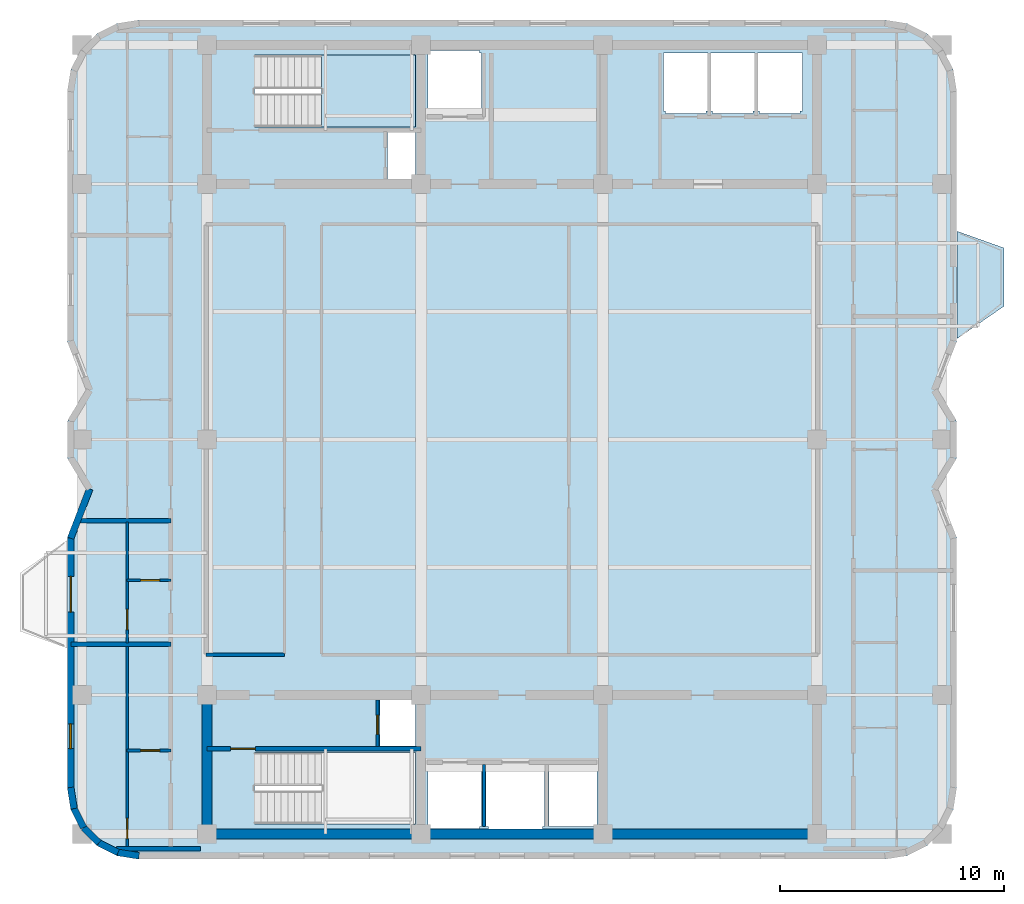
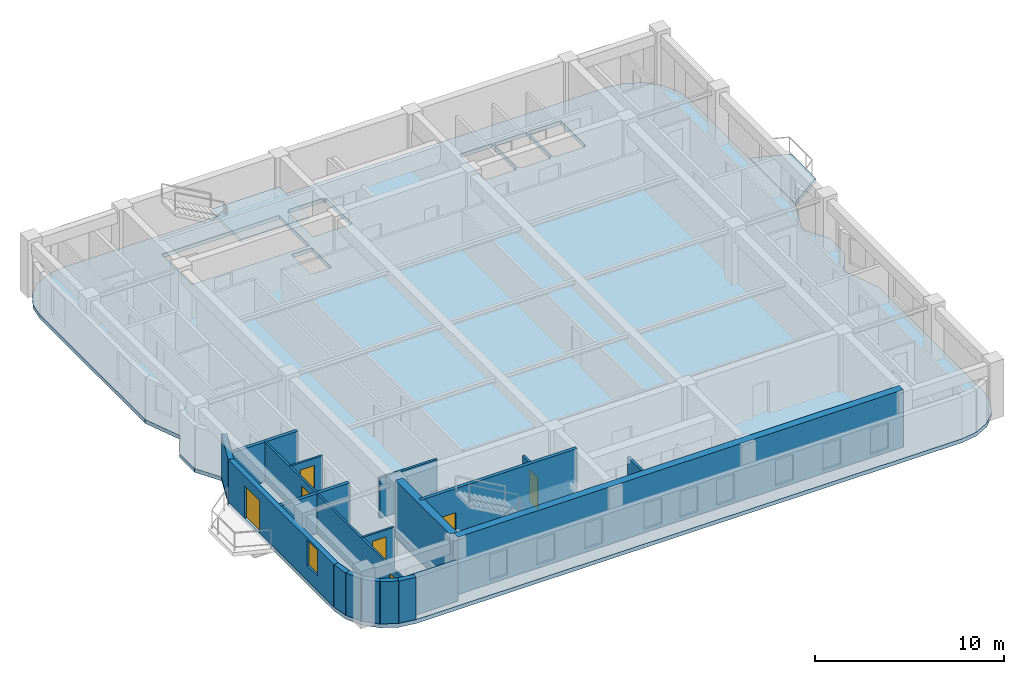
# One storey, part 2 of 8: 20 walls, 7 doors, 3 slabs, 1 window, 8 openings, 1 element without a shape of its own.
"""IFC4 building model written with IfcOpenShell, lengths in metres."""

from ifc_helpers import new_model, si_unit, direction, frame, frame_2d, origin, place, context, subcontext, project, spatial, polyline, rectangle, outline, extrude, material, layer, layer_set, type_object, element, fill, aggregate, save


model = new_model("IFC4")

# Units and contexts
model_context = context("Model", 3, precision=1e-05, world=origin(), true_north=direction((0.0, 1.0)))
body_context = subcontext(model_context, "Body", "Model", "MODEL_VIEW")
ifc_project = project(units=[si_unit("LENGTHUNIT", "METRE"), si_unit("AREAUNIT", "SQUARE_METRE"), si_unit("VOLUMEUNIT", "CUBIC_METRE"), si_unit("PLANEANGLEUNIT", "RADIAN"), si_unit("MASSUNIT", "GRAM", prefix="KILO")], contexts=[model_context])

# Site, building, storey
site_placement = place(None, origin())
site = spatial("IfcSite", under=ifc_project, at=site_placement, CompositionType="ELEMENT")
building_placement = place(site_placement, origin())
building = spatial("IfcBuilding", under=site, at=building_placement, Name="Svetorya Sky Lyceum", CompositionType="ELEMENT")
storey_placement = place(building_placement, frame((0.0, 0.0, 233.199951171875)))
storey = spatial("IfcBuildingStorey", under=building, at=storey_placement, Name="L58", CompositionType="ELEMENT", Elevation=233.199951171875)

# Slab
ifc_material_1 = material(Name="Concrete C40/50", Category="concrete")
ifc_layer_1 = layer(ifc_material_1, 0.25)
ifc_layer_set_1 = layer_set([ifc_layer_1], Name="Concrete C40/50")
slab_type_1 = type_object("IfcSlabType", Name="SL-BAL-250", PredefinedType="FLOOR", material=ifc_layer_set_1)
slab_1_placement = place(storey_placement, frame((0.0, 0.0, -0.25)))
element("IfcSlab", 1, at=slab_1_placement, inside=storey, type_object=slab_type_1, Name="L58 Chamfered Loggia Balcony BAL-E1", PredefinedType="FLOOR", context=body_context, shape_type="SweptSolid", body=[
    extrude(outline(polyline([(59.050048828125, 32.699951171875), (61.14990234375, 34.14990234375), (61.14990234375, 36.75), (59.050048828125, 37.5), (59.050048828125, 32.699951171875)])), origin(), (0.0, 0.0, 1.0), 0.25),
])

# Stair, slab
stair_type = type_object("IfcStairType", Name="STR-ST-N", PredefinedType="HALF_TURN_STAIR", material=ifc_material_1)
stair_placement = place(storey_placement, origin())
stair = element("IfcStair", 2, at=stair_placement, inside=storey, type_object=stair_type, Name="L58 North Core Smoke-Free Exit Stair N3", PredefinedType="HALF_TURN_STAIR")
ifc_layer_2 = layer(ifc_material_1, 0.199951171875)
ifc_layer_set_2 = layer_set([ifc_layer_2], Name="Concrete C40/50")
slab_type_2 = type_object("IfcSlabType", Name="SL-STR-LAND-200", PredefinedType="LANDING", material=ifc_layer_set_2)
slab_2_placement = place(storey_placement, frame((0.0, 0.0, 1.650146484375)))
slab_2 = element("IfcSlab", 3, at=slab_2_placement, type_object=slab_type_2, Name="ST-N landing 1", PredefinedType="LANDING", context=body_context, shape_type="SweptSolid", body=[
    extrude(outline(polyline([(30.699951171875, 42.14990234375), (34.89990234375, 42.14990234375), (34.89990234375, 45.35009765625), (30.699951171875, 45.35009765625), (30.699951171875, 42.14990234375)])), origin(), (0.0, 0.0, 1.0), 0.199951171875),
])
aggregate(stair, [slab_2])

# Slab
ifc_layer_3 = layer(ifc_material_1, 0.25)
ifc_layer_set_3 = layer_set([ifc_layer_3], Name="Concrete C40/50")
slab_type_3 = type_object("IfcSlabType", Name="SL-TWR-250", PredefinedType="FLOOR", material=ifc_layer_set_3)
slab_3_placement = place(storey_placement, frame((0.0, 0.0, -0.25)))
element("IfcSlab", 4, at=slab_3_placement, inside=storey, type_object=slab_type_3, Name="L58 Structural Floor Slab", PredefinedType="FLOOR", context=body_context, shape_type="SweptSolid", body=[
    extrude(outline(polyline([(19.360107421875, 12.679931640625), (19.5166015625, 11.691162109375), (19.97119140625, 10.799072265625), (20.67919921875, 10.091064453125), (21.571044921875, 9.63671875), (22.56005859375, 9.47998046875), (55.840087890625, 9.47998046875), (56.828857421875, 9.63671875), (57.720947265625, 10.091064453125), (58.428955078125, 10.799072265625), (58.88330078125, 11.691162109375), (59.0400390625, 12.679931640625), (59.0400390625, 23.800048828125), (58.18994140625, 26.0), (59.0400390625, 27.39990234375), (59.0400390625, 29.0), (58.18994140625, 30.39990234375), (59.0400390625, 32.60009765625), (59.0400390625, 43.719970703125), (58.88330078125, 44.708984375), (58.428955078125, 45.600830078125), (57.720947265625, 46.308837890625), (56.828857421875, 46.763427734375), (55.840087890625, 46.919921875), (22.56005859375, 46.919921875), (21.571044921875, 46.763427734375), (20.67919921875, 46.308837890625), (19.97119140625, 45.600830078125), (19.5166015625, 44.708984375), (19.360107421875, 43.719970703125), (19.360107421875, 32.60009765625), (20.2099609375, 30.39990234375), (19.360107421875, 29.0), (19.360107421875, 27.39990234375), (20.2099609375, 26.0), (19.360107421875, 23.800048828125), (19.360107421875, 12.679931640625)]), holes=[polyline([(37.85009765625, 10.949951171875), (37.75, 10.949951171875), (37.75, 10.85009765625), (35.550048828125, 10.85009765625), (35.550048828125, 10.949951171875), (35.449951171875, 10.949951171875), (35.449951171875, 13.64990234375), (35.550048828125, 13.64990234375), (37.75, 13.64990234375), (37.85009765625, 13.64990234375), (37.85009765625, 10.949951171875)]), polyline([(38.14990234375, 10.800048828125), (38.14990234375, 10.949951171875), (38.050048828125, 10.949951171875), (38.050048828125, 13.64990234375), (38.14990234375, 13.64990234375), (38.14990234375, 13.699951171875), (40.550048828125, 13.699951171875), (40.550048828125, 13.64990234375), (40.64990234375, 13.64990234375), (40.64990234375, 10.949951171875), (40.550048828125, 10.949951171875), (40.550048828125, 10.800048828125), (38.14990234375, 10.800048828125)]), polyline([(27.719970703125, 11.050048828125), (27.719970703125, 14.25), (34.89990234375, 14.25), (34.89990234375, 11.050048828125), (27.719970703125, 11.050048828125)]), polyline([(33.300048828125, 14.52001953125), (33.300048828125, 16.580078125), (34.89990234375, 16.580078125), (34.89990234375, 14.52001953125), (33.300048828125, 14.52001953125)]), polyline([(33.64990234375, 39.820068359375), (33.64990234375, 41.89990234375), (34.89990234375, 41.89990234375), (34.89990234375, 39.820068359375), (33.64990234375, 39.820068359375)]), polyline([(27.719970703125, 42.14990234375), (27.719970703125, 45.35009765625), (34.89990234375, 45.35009765625), (34.89990234375, 42.14990234375), (27.719970703125, 42.14990234375)]), polyline([(37.75, 42.75), (35.550048828125, 42.75), (35.449951171875, 42.75), (35.449951171875, 45.449951171875), (35.550048828125, 45.449951171875), (35.550048828125, 45.550048828125), (37.75, 45.550048828125), (37.75, 45.449951171875), (37.85009765625, 45.449951171875), (37.85009765625, 42.75), (37.75, 42.75)]), polyline([(40.85009765625, 10.949951171875), (40.85009765625, 13.64990234375), (43.0, 13.64990234375), (43.0, 10.949951171875), (40.85009765625, 10.949951171875)]), polyline([(46.050048828125, 42.75), (46.050048828125, 42.85009765625), (45.949951171875, 42.85009765625), (45.949951171875, 45.449951171875), (46.050048828125, 45.449951171875), (47.85009765625, 45.449951171875), (47.949951171875, 45.449951171875), (47.949951171875, 42.85009765625), (47.85009765625, 42.85009765625), (47.85009765625, 42.75), (46.050048828125, 42.75)]), polyline([(50.050048828125, 42.85009765625), (49.949951171875, 42.85009765625), (49.949951171875, 42.75), (48.14990234375, 42.75), (48.14990234375, 42.85009765625), (48.050048828125, 42.85009765625), (48.050048828125, 45.449951171875), (48.14990234375, 45.449951171875), (49.949951171875, 45.449951171875), (50.050048828125, 45.449951171875), (50.050048828125, 42.85009765625)]), polyline([(52.14990234375, 42.85009765625), (52.050048828125, 42.85009765625), (52.050048828125, 42.75), (50.25, 42.75), (50.25, 42.85009765625), (50.14990234375, 42.85009765625), (50.14990234375, 45.449951171875), (50.25, 45.449951171875), (52.050048828125, 45.449951171875), (52.14990234375, 45.449951171875), (52.14990234375, 42.85009765625)])]), origin(), (0.0, 0.0, 1.0), 0.25),
])

# Walls
ifc_material_2 = material(Name="Concrete C50/60", Category="concrete")
ifc_layer_4 = layer(ifc_material_2, 0.449951171875)
ifc_layer_set_4 = layer_set([ifc_layer_4], Name="Concrete C50/60")
wall_type_1 = type_object("IfcWallType", Name="WL-CORE-450", PredefinedType="SHEAR", material=ifc_layer_set_4)
wall_1_placement = place(storey_placement, frame((52.800048828125, 10.60009765625, 0.0), z_axis=(0.0, 0.0, 1.0), x_axis=(-1.0, 0.0, 0.0)))
element("IfcWall", 5, at=wall_1_placement, inside=storey, type_object=wall_type_1, Name="L58 SC Outer Core Shear Wall", PredefinedType="SHEAR", context=body_context, shape_type="SweptSolid", body=[
    extrude(rectangle(XDim=27.199951171875, YDim=0.449951171875, at=frame_2d((13.60009765625, 0.0))), origin(), (0.0, 0.0, 1.0), 3.699951171875),
])
wall_2_placement = place(storey_placement, frame((25.60009765625, 10.824951171875, 0.0), z_axis=(0.0, 0.0, 1.0), x_axis=(0.0, 1.0, 0.0)))
element("IfcWall", 6, at=wall_2_placement, inside=storey, type_object=wall_type_1, Name="L58 SC West Core Shear Wall", PredefinedType="SHEAR", context=body_context, shape_type="SweptSolid", body=[
    extrude(rectangle(XDim=5.75, YDim=0.449951171875, at=frame_2d((2.875, 0.0))), origin(), (0.0, 0.0, 1.0), 3.699951171875),
])
ifc_material_3 = material(Name="Putilovo limestone rainscreen on autoclaved cellular masonry", Category="masonry")
ifc_layer_5 = layer(ifc_material_3, 0.300048828125)
ifc_layer_set_5 = layer_set([ifc_layer_5], Name="Putilovo limestone rainscreen on autoclaved cellular masonry")
wall_type_2 = type_object("IfcWallType", Name="WL-EXT-300", PredefinedType="SOLIDWALL", material=ifc_layer_set_5)
wall_3_placement = place(storey_placement, frame((19.510009765625, 12.679931640625, 0.0), z_axis=(0.0, 0.0, 1.0), x_axis=(0.156343617883, -0.987702725088, 0.0)))
element("IfcWall", 7, at=wall_3_placement, inside=storey, type_object=wall_type_2, Name="L58 Limestone Exterior Wall 1M", PredefinedType="SOLIDWALL", context=body_context, shape_type="SweptSolid", body=[
    extrude(rectangle(XDim=0.9541015625, YDim=0.300048828125, at=frame_2d((0.47705078125, 0.0))), origin(), (0.0, 0.0, 1.0), 2.72998046875),
])
for number, where, z_axis, x_axis, name in (
    (8, (19.6591796875, 11.737548828125, 0.0), (0.0, 0.0, 1.0), (0.454056065666, -0.890973113642, 0.0), "L58 Limestone Exterior Wall 2M"),
    (9, (20.092529296875, 10.88720703125, 0.0), (0.0, 0.0, 1.0), (0.707106781187, -0.707106781187, 0.0), "L58 Limestone Exterior Wall 3M"),
):
    element("IfcWall", number, at=place(storey_placement, frame(where, z_axis=z_axis, x_axis=x_axis)), inside=storey, type_object=wall_type_2, Name=name, PredefinedType="SOLIDWALL", context=body_context, shape_type="SweptSolid", body=[
        extrude(rectangle(XDim=0.954345703125, YDim=0.300048828125, at=frame_2d((0.47705078125, 0.0))), origin(), (0.0, 0.0, 1.0), 2.72998046875),
    ])
wall_4_placement = place(storey_placement, frame((20.767333984375, 10.21240234375, 0.0), z_axis=(0.0, 0.0, 1.0), x_axis=(0.891023873617, -0.45395644796, 0.0)))
element("IfcWall", 10, at=wall_4_placement, inside=storey, type_object=wall_type_2, Name="L58 Limestone Exterior Wall 4M", PredefinedType="SOLIDWALL", context=body_context, shape_type="SweptSolid", body=[
    extrude(rectangle(XDim=0.9541015625, YDim=0.300048828125, at=frame_2d((0.47705078125, 0.0))), origin(), (0.0, 0.0, 1.0), 2.72998046875),
])
wall_5_placement = place(storey_placement, frame((21.617431640625, 9.779296875, 0.0), z_axis=(0.0, 0.0, 1.0), x_axis=(0.987669453596, -0.156553666304, 0.0)))
element("IfcWall", 11, at=wall_5_placement, inside=storey, type_object=wall_type_2, Name="L58 Limestone Exterior Wall 5M", PredefinedType="SOLIDWALL", context=body_context, shape_type="SweptSolid", body=[
    extrude(rectangle(XDim=0.954345703125, YDim=0.300048828125, at=frame_2d((0.47705078125, 0.0))), origin(), (0.0, 0.0, 1.0), 2.72998046875),
])
wall_6_placement = place(storey_placement, frame((20.360107421875, 26.0, 0.0), z_axis=(0.0, 0.0, 1.0), x_axis=(-0.360442266984, -0.932781524351, 0.0)))
element("IfcWall", 12, at=wall_6_placement, inside=storey, type_object=wall_type_2, Name="L58 Limestone Exterior Wall 35M", PredefinedType="SOLIDWALL", context=body_context, shape_type="SweptSolid", body=[
    extrude(rectangle(XDim=2.3583984375, YDim=0.300048828125, at=frame_2d((1.17919921875, 0.0))), origin(), (0.0, 0.0, 1.0), 2.72998046875),
])

# Wall, openings, door, window
wall_7_placement = place(storey_placement, frame((19.510009765625, 23.800048828125, 0.0), z_axis=(0.0, 0.0, 1.0), x_axis=(0.0, -1.0, 0.0)))
wall_7 = element("IfcWall", 13, at=wall_7_placement, inside=storey, type_object=wall_type_2, Name="L58 Limestone Exterior Wall 36M", PredefinedType="SOLIDWALL", context=body_context, shape_type="SweptSolid", body=[
    extrude(rectangle(XDim=11.1201171875, YDim=0.300048828125, at=frame_2d((5.56005859375, 0.0))), origin(), (0.0, 0.0, 1.0), 2.72998046875),
])
opening_1_placement = place(wall_7_placement, frame((1.699951171875, 0.0, 0.0)))
opening_1 = element("IfcOpeningElement", 14, at=opening_1_placement, cuts=wall_7, Name="Opening D-BL1", PredefinedType="OPENING", context=body_context, shape_type="SweptSolid", body=[
    extrude(rectangle(XDim=1.60009765625, YDim=2.10009765625, at=frame_2d((0.800048828125, 1.050048828125))), frame((0.0, 0.159912109375, 0.0), z_axis=(0.0, -1.0, 0.0), x_axis=(1.0, 0.0, 0.0)), (0.0, 0.0, 1.0), 0.320068359375),
])
opening_2_placement = place(wall_7_placement, frame((8.283203125, 0.0, 0.949951171875)))
opening_2 = element("IfcOpeningElement", 15, at=opening_2_placement, cuts=wall_7, Name="Opening W-R3", PredefinedType="OPENING", context=body_context, shape_type="SweptSolid", body=[
    extrude(rectangle(XDim=1.10009765625, YDim=1.64990234375, at=frame_2d((0.550048828125, 0.824951171875))), frame((0.0, 0.159912109375, 0.0), z_axis=(0.0, -1.0, 0.0), x_axis=(1.0, 0.0, 0.0)), (0.0, 0.0, 1.0), 0.320068359375),
])
ifc_material_4 = material(Name="Insulated glazed aluminium balcony door", Category="aluminium")
door_type_1 = type_object("IfcDoorType", Name="DR-BAL-1600", OperationType="DOUBLE_DOOR_SINGLE_SWING", PredefinedType="DOOR", material=ifc_material_4)
door_1_placement = place(opening_1_placement, origin())
door_1 = element("IfcDoor", 16, at=door_1_placement, inside=storey, type_object=door_type_1, Name="L58 Balcony BAL-W1 Door", OperationType="DOUBLE_DOOR_SINGLE_SWING", OverallHeight=2.10009765625, OverallWidth=1.60009765625, PredefinedType="DOOR", context=body_context, shape_type="SweptSolid", body=[
    extrude(rectangle(XDim=1.60009765625, YDim=2.10009765625, at=frame_2d((0.800048828125, 1.050048828125))), frame((0.0, 0.02490234375, 0.0), z_axis=(0.0, -1.0, 0.0), x_axis=(1.0, 0.0, 0.0)), (0.0, 0.0, 1.0), 0.050048828125),
])
fill(opening_1, door_1)
ifc_material_5 = material(Name="Thermally broken aluminium frame with triple low-E glazing", Category="aluminium")
window_type = type_object("IfcWindowType", Name="WN-RES-110", PartitioningType="SINGLE_PANEL", PredefinedType="WINDOW", material=ifc_material_5)
window_placement = place(opening_2_placement, origin())
window = element("IfcWindow", 17, at=window_placement, inside=storey, type_object=window_type, Name="L58 Facade Window W-R3.36M.1", OverallHeight=1.64990234375, OverallWidth=1.10009765625, PartitioningType="SINGLE_PANEL", PredefinedType="WINDOW", context=body_context, shape_type="SweptSolid", body=[
    extrude(rectangle(XDim=1.10009765625, YDim=1.64990234375, at=frame_2d((0.550048828125, 0.824951171875))), frame((0.0, 0.030029296875, 0.0), z_axis=(0.0, -1.0, 0.0), x_axis=(1.0, 0.0, 0.0)), (0.0, 0.0, 1.0), 0.06005859375),
])
fill(opening_2, window)

# Wall, opening, door
ifc_material_6 = material(Name="Twin-stud galvanized framing with double fireboard", Category="gypsum")
ifc_layer_6 = layer(ifc_material_6, 0.1201171875)
ifc_layer_set_6 = layer_set([ifc_layer_6], Name="Twin-stud galvanized framing with double fireboard")
wall_type_3 = type_object("IfcWallType", Name="WL-PART-120", PredefinedType="PARTITIONING", material=ifc_layer_set_6)
wall_8_placement = place(storey_placement, frame((22.030029296875, 14.330078125, 0.0), z_axis=(0.0, 0.0, 1.0), x_axis=(1.0, 0.0, 0.0)))
wall_8 = element("IfcWall", 18, at=wall_8_placement, inside=storey, type_object=wall_type_3, Name="L58 Interior Partition W1-WH1", PredefinedType="PARTITIONING", context=body_context, shape_type="SweptSolid", body=[
    extrude(rectangle(XDim=1.949951171875, YDim=0.1201171875, at=frame_2d((0.97509765625, 0.0))), origin(), (0.0, 0.0, 1.0), 2.56005859375),
])
opening_3_placement = place(wall_8_placement, frame((0.60009765625, 0.0, 0.0)))
opening_3 = element("IfcOpeningElement", 19, at=opening_3_placement, cuts=wall_8, Name="Opening D-BT1", PredefinedType="OPENING", context=body_context, shape_type="SweptSolid", body=[
    extrude(rectangle(XDim=0.85009765625, YDim=2.10009765625, at=frame_2d((0.425048828125, 1.050048828125))), frame((0.0, 0.070068359375, 0.0), z_axis=(0.0, -1.0, 0.0), x_axis=(1.0, 0.0, 0.0)), (0.0, 0.0, 1.0), 0.14013671875),
])
ifc_material_7 = material(Name="Moisture-resistant laminate bathroom door")
door_type_2 = type_object("IfcDoorType", Name="DR-WET-850", OperationType="SINGLE_SWING_LEFT", PredefinedType="DOOR", material=ifc_material_7)
door_2_placement = place(opening_3_placement, origin())
door_2 = element("IfcDoor", 20, at=door_2_placement, inside=storey, type_object=door_type_2, Name="Apartment W1 Bathroom Door", OperationType="SINGLE_SWING_LEFT", OverallHeight=2.10009765625, OverallWidth=0.85009765625, PredefinedType="DOOR", context=body_context, shape_type="SweptSolid", body=[
    extrude(rectangle(XDim=0.85009765625, YDim=2.10009765625, at=frame_2d((0.425048828125, 1.050048828125))), frame((0.0, 0.02490234375, 0.0), z_axis=(0.0, -1.0, 0.0), x_axis=(1.0, 0.0, 0.0)), (0.0, 0.0, 1.0), 0.050048828125),
])
fill(opening_3, door_2)

wall_9_placement = place(storey_placement, frame((22.030029296875, 9.989990234375, 0.0), z_axis=(0.0, 0.0, 1.0), x_axis=(0.0, 1.0, 0.0)))
wall_9 = element("IfcWall", 21, at=wall_9_placement, inside=storey, type_object=wall_type_3, Name="L58 Interior Partition W1-WV", PredefinedType="PARTITIONING", context=body_context, shape_type="SweptSolid", body=[
    extrude(rectangle(XDim=9.044921875, YDim=0.1201171875, at=frame_2d((4.5224609375, 0.0))), origin(), (0.0, 0.0, 1.0), 2.56005859375),
])
opening_4_placement = place(wall_9_placement, frame((0.409912109375, 0.0, 0.0)))
opening_4 = element("IfcOpeningElement", 22, at=opening_4_placement, cuts=wall_9, Name="Opening D-RM1", PredefinedType="OPENING", context=body_context, shape_type="SweptSolid", body=[
    extrude(rectangle(XDim=0.89990234375, YDim=2.10009765625, at=frame_2d((0.449951171875, 1.050048828125))), frame((0.0, 0.070068359375, 0.0), z_axis=(0.0, -1.0, 0.0), x_axis=(1.0, 0.0, 0.0)), (0.0, 0.0, 1.0), 0.14013671875),
])
ifc_material_8 = material(Name="Lacquered birch veneer internal door")
door_type_3 = type_object("IfcDoorType", Name="DR-INT-900", OperationType="SINGLE_SWING_LEFT", PredefinedType="DOOR", material=ifc_material_8)
door_3_placement = place(opening_4_placement, origin())
door_3 = element("IfcDoor", 23, at=door_3_placement, inside=storey, type_object=door_type_3, Name="Apartment W1 Living Door", OperationType="SINGLE_SWING_RIGHT", OverallHeight=2.10009765625, OverallWidth=0.89990234375, PredefinedType="DOOR", context=body_context, shape_type="SweptSolid", body=[
    extrude(rectangle(XDim=0.89990234375, YDim=2.10009765625, at=frame_2d((0.449951171875, 1.050048828125))), frame((0.0, 0.02490234375, 0.0), z_axis=(0.0, -1.0, 0.0), x_axis=(1.0, 0.0, 0.0)), (0.0, 0.0, 1.0), 0.050048828125),
])
fill(opening_4, door_3)

wall_10_placement = place(storey_placement, frame((22.030029296875, 21.925048828125, 0.0), z_axis=(0.0, 0.0, 1.0), x_axis=(1.0, 0.0, 0.0)))
wall_10 = element("IfcWall", 24, at=wall_10_placement, inside=storey, type_object=wall_type_3, Name="L58 Interior Partition W2-WH1", PredefinedType="PARTITIONING", context=body_context, shape_type="SweptSolid", body=[
    extrude(rectangle(XDim=1.949951171875, YDim=0.1201171875, at=frame_2d((0.97509765625, 0.0))), origin(), (0.0, 0.0, 1.0), 2.56005859375),
])
opening_5_placement = place(wall_10_placement, frame((0.60009765625, 0.0, 0.0)))
opening_5 = element("IfcOpeningElement", 25, at=opening_5_placement, cuts=wall_10, Name="Opening D-BT1", PredefinedType="OPENING", context=body_context, shape_type="SweptSolid", body=[
    extrude(rectangle(XDim=0.85009765625, YDim=2.10009765625, at=frame_2d((0.425048828125, 1.050048828125))), frame((0.0, 0.070068359375, 0.0), z_axis=(0.0, -1.0, 0.0), x_axis=(1.0, 0.0, 0.0)), (0.0, 0.0, 1.0), 0.14013671875),
])
door_4_placement = place(opening_5_placement, origin())
door_4 = element("IfcDoor", 26, at=door_4_placement, inside=storey, type_object=door_type_2, Name="Apartment W2 Bathroom Door", OperationType="SINGLE_SWING_RIGHT", OverallHeight=2.10009765625, OverallWidth=0.85009765625, PredefinedType="DOOR", context=body_context, shape_type="SweptSolid", body=[
    extrude(rectangle(XDim=0.85009765625, YDim=2.10009765625, at=frame_2d((0.425048828125, 1.050048828125))), frame((0.0, 0.02490234375, 0.0), z_axis=(0.0, -1.0, 0.0), x_axis=(1.0, 0.0, 0.0)), (0.0, 0.0, 1.0), 0.050048828125),
])
fill(opening_5, door_4)

wall_11_placement = place(storey_placement, frame((22.030029296875, 19.114990234375, 0.0), z_axis=(0.0, 0.0, 1.0), x_axis=(0.0, 1.0, 0.0)))
wall_11 = element("IfcWall", 27, at=wall_11_placement, inside=storey, type_object=wall_type_3, Name="L58 Interior Partition W2-WV", PredefinedType="PARTITIONING", context=body_context, shape_type="SweptSolid", body=[
    extrude(rectangle(XDim=5.419921875, YDim=0.1201171875, at=frame_2d((2.7099609375, 0.0))), origin(), (0.0, 0.0, 1.0), 2.56005859375),
])
opening_6_placement = place(wall_11_placement, frame((0.610107421875, 0.0, 0.0)))
opening_6 = element("IfcOpeningElement", 28, at=opening_6_placement, cuts=wall_11, Name="Opening D-RM1", PredefinedType="OPENING", context=body_context, shape_type="SweptSolid", body=[
    extrude(rectangle(XDim=0.89990234375, YDim=2.10009765625, at=frame_2d((0.449951171875, 1.050048828125))), frame((0.0, 0.070068359375, 0.0), z_axis=(0.0, -1.0, 0.0), x_axis=(1.0, 0.0, 0.0)), (0.0, 0.0, 1.0), 0.14013671875),
])
door_5_placement = place(opening_6_placement, origin())
door_5 = element("IfcDoor", 29, at=door_5_placement, inside=storey, type_object=door_type_3, Name="Apartment W2 Living Door", OperationType="SINGLE_SWING_LEFT", OverallHeight=2.10009765625, OverallWidth=0.89990234375, PredefinedType="DOOR", context=body_context, shape_type="SweptSolid", body=[
    extrude(rectangle(XDim=0.89990234375, YDim=2.10009765625, at=frame_2d((0.449951171875, 1.050048828125))), frame((0.0, 0.02490234375, 0.0), z_axis=(0.0, -1.0, 0.0), x_axis=(1.0, 0.0, 0.0)), (0.0, 0.0, 1.0), 0.050048828125),
])
fill(opening_6, door_5)

ifc_material_9 = material(Name="Autoclaved cellular masonry blockwork with acoustic render", Category="masonry")
ifc_layer_7 = layer(ifc_material_9, 0.14990234375)
ifc_layer_set_7 = layer_set([ifc_layer_7], Name="Autoclaved cellular masonry blockwork with acoustic render")
wall_type_4 = type_object("IfcWallType", Name="WL-PART-150", PredefinedType="PARTITIONING", material=ifc_layer_set_7)
wall_12_placement = place(storey_placement, frame((33.199951171875, 14.5, 0.0), z_axis=(0.0, 0.0, 1.0), x_axis=(0.0, 1.0, 0.0)))
wall_12 = element("IfcWall", 30, at=wall_12_placement, inside=storey, type_object=wall_type_4, Name="L58 Interior Partition SC-AIRDIV", PredefinedType="PARTITIONING", context=body_context, shape_type="SweptSolid", body=[
    extrude(rectangle(XDim=2.080078125, YDim=0.14990234375, at=frame_2d((1.0400390625, 0.0))), origin(), (0.0, 0.0, 1.0), 2.56005859375),
])
opening_7_placement = place(wall_12_placement, frame((0.550048828125, 0.0, 0.0)))
opening_7 = element("IfcOpeningElement", 31, at=opening_7_placement, cuts=wall_12, Name="Opening D-SH1", PredefinedType="OPENING", context=body_context, shape_type="SweptSolid", body=[
    extrude(rectangle(XDim=0.85009765625, YDim=2.050048828125, at=frame_2d((0.425048828125, 1.02490234375))), frame((0.0, 0.0849609375, 0.0), z_axis=(0.0, -1.0, 0.0), x_axis=(1.0, 0.0, 0.0)), (0.0, 0.0, 1.0), 0.169921875),
])
ifc_material_10 = material(Name="Insulated galvanized riser inspection fire door")
door_type_4 = type_object("IfcDoorType", Name="DR-SHFT-850", OperationType="SINGLE_SWING_LEFT", PredefinedType="TRAPDOOR", material=ifc_material_10)
door_6_placement = place(opening_7_placement, origin())
door_6 = element("IfcDoor", 32, at=door_6_placement, inside=storey, type_object=door_type_4, Name="L58 South Riser Access Door", OperationType="SINGLE_SWING_RIGHT", OverallHeight=2.050048828125, OverallWidth=0.85009765625, PredefinedType="TRAPDOOR", context=body_context, shape_type="SweptSolid", body=[
    extrude(rectangle(XDim=0.85009765625, YDim=2.050048828125, at=frame_2d((0.425048828125, 1.02490234375))), frame((0.0, 0.02490234375, 0.0), z_axis=(0.0, -1.0, 0.0), x_axis=(1.0, 0.0, 0.0)), (0.0, 0.0, 1.0), 0.050048828125),
])
fill(opening_7, door_6)

# Walls
wall_13_placement = place(storey_placement, frame((37.949951171875, 10.949951171875, 0.0), z_axis=(0.0, 0.0, 1.0), x_axis=(0.0, 1.0, 0.0)))
element("IfcWall", 33, at=wall_13_placement, inside=storey, type_object=wall_type_4, Name="L58 Interior Partition SC-SHD1", PredefinedType="PARTITIONING", context=body_context, shape_type="SweptSolid", body=[
    extrude(rectangle(XDim=2.75, YDim=0.14990234375, at=frame_2d((1.375, 0.0))), origin(), (0.0, 0.0, 1.0), 2.56005859375),
])
wall_14_placement = place(storey_placement, frame((25.550048828125, 18.60009765625, 0.0), z_axis=(0.0, 0.0, 1.0), x_axis=(1.0, 0.0, 0.0)))
element("IfcWall", 34, at=wall_14_placement, inside=storey, type_object=wall_type_4, Name="L58 Interior Partition OFF-CS-W", PredefinedType="PARTITIONING", context=body_context, shape_type="SweptSolid", body=[
    extrude(rectangle(XDim=3.5, YDim=0.14990234375, at=frame_2d((1.75, 0.0))), origin(), (0.0, 0.0, 1.0), 2.56005859375),
])
ifc_material_11 = material(Name="Autoclaved cellular masonry blockwork with gypsum plaster", Category="masonry")
ifc_layer_8 = layer(ifc_material_11, 0.199951171875)
ifc_layer_set_8 = layer_set([ifc_layer_8], Name="Autoclaved cellular masonry blockwork with gypsum plaster")
wall_type_5 = type_object("IfcWallType", Name="WL-PART-200", PredefinedType="PARTITIONING", material=ifc_layer_set_8)
wall_15_placement = place(storey_placement, frame((19.530029296875, 19.074951171875, 0.0), z_axis=(0.0, 0.0, 1.0), x_axis=(1.0, 0.0, 0.0)))
element("IfcWall", 35, at=wall_15_placement, inside=storey, type_object=wall_type_5, Name="L58 Interior Partition W-PARTY-1", PredefinedType="PARTITIONING", context=body_context, shape_type="SweptSolid", body=[
    extrude(rectangle(XDim=4.449951171875, YDim=0.199951171875, at=frame_2d((2.22509765625, 0.0))), origin(), (0.0, 0.0, 1.0), 2.56005859375),
])
wall_16_placement = place(storey_placement, frame((19.829345703125, 24.574951171875, 0.0), z_axis=(0.0, 0.0, 1.0), x_axis=(1.0, 0.0, 0.0)))
element("IfcWall", 36, at=wall_16_placement, inside=storey, type_object=wall_type_5, Name="L58 Interior Partition W-PARTY-2", PredefinedType="PARTITIONING", context=body_context, shape_type="SweptSolid", body=[
    extrude(rectangle(XDim=4.150634765625, YDim=0.199951171875, at=frame_2d((2.0751953125, 0.0))), origin(), (0.0, 0.0, 1.0), 2.56005859375),
])
wall_17_placement = place(storey_placement, frame((21.5458984375, 9.949951171875, 0.0), z_axis=(0.0, 0.0, 1.0), x_axis=(1.0, 0.0, 0.0)))
element("IfcWall", 37, at=wall_17_placement, inside=storey, type_object=wall_type_5, Name="L58 Interior Partition W-CAP-S", PredefinedType="PARTITIONING", context=body_context, shape_type="SweptSolid", body=[
    extrude(rectangle(XDim=3.754150390625, YDim=0.199951171875, at=frame_2d((1.876953125, 0.0))), origin(), (0.0, 0.0, 1.0), 2.56005859375),
])

# Wall, opening, door
ifc_layer_9 = layer(ifc_material_2, 0.199951171875)
ifc_layer_set_9 = layer_set([ifc_layer_9], Name="Concrete C50/60")
wall_type_6 = type_object("IfcWallType", Name="WL-SHW-200", PredefinedType="SHEAR", material=ifc_layer_set_9)
wall_18_placement = place(storey_placement, frame((25.60009765625, 14.39990234375, 0.0), z_axis=(0.0, 0.0, 1.0), x_axis=(1.0, 0.0, 0.0)))
wall_18 = element("IfcWall", 38, at=wall_18_placement, inside=storey, type_object=wall_type_6, Name="L58 Structural Stair Shaft Wall SC-STW", PredefinedType="SHEAR", context=body_context, shape_type="SweptSolid", body=[
    extrude(rectangle(XDim=9.5498046875, YDim=0.199951171875, at=frame_2d((4.77490234375, 0.0))), origin(), (0.0, 0.0, 1.0), 3.699951171875),
])
opening_8_placement = place(wall_18_placement, frame((1.050048828125, 0.0, 0.0)))
opening_8 = element("IfcOpeningElement", 39, at=opening_8_placement, cuts=wall_18, Name="Opening D-ST1", PredefinedType="OPENING", context=body_context, shape_type="SweptSolid", body=[
    extrude(rectangle(XDim=1.10009765625, YDim=2.14990234375, at=frame_2d((0.550048828125, 1.074951171875))), frame((0.0, 0.10986328125, 0.0), z_axis=(0.0, -1.0, 0.0), x_axis=(1.0, 0.0, 0.0)), (0.0, 0.0, 1.0), 0.219970703125),
])
ifc_material_12 = material(Name="Powder-coated insulated galvanized stair fire door")
door_type_5 = type_object("IfcDoorType", Name="DR-FIRE-1100", OperationType="SINGLE_SWING_LEFT", PredefinedType="DOOR", material=ifc_material_12)
door_7_placement = place(opening_8_placement, origin())
door_7 = element("IfcDoor", 40, at=door_7_placement, inside=storey, type_object=door_type_5, Name="L58 Stair ST-S Vestibule Fire Door", OperationType="SINGLE_SWING_LEFT", OverallHeight=2.14990234375, OverallWidth=1.10009765625, PredefinedType="DOOR", context=body_context, shape_type="SweptSolid", body=[
    extrude(rectangle(XDim=1.10009765625, YDim=2.14990234375, at=frame_2d((0.550048828125, 1.074951171875))), frame((0.0, 0.02490234375, 0.0), z_axis=(0.0, -1.0, 0.0), x_axis=(1.0, 0.0, 0.0)), (0.0, 0.0, 1.0), 0.050048828125),
])
fill(opening_8, door_7)

save(model, "model.ifc")
